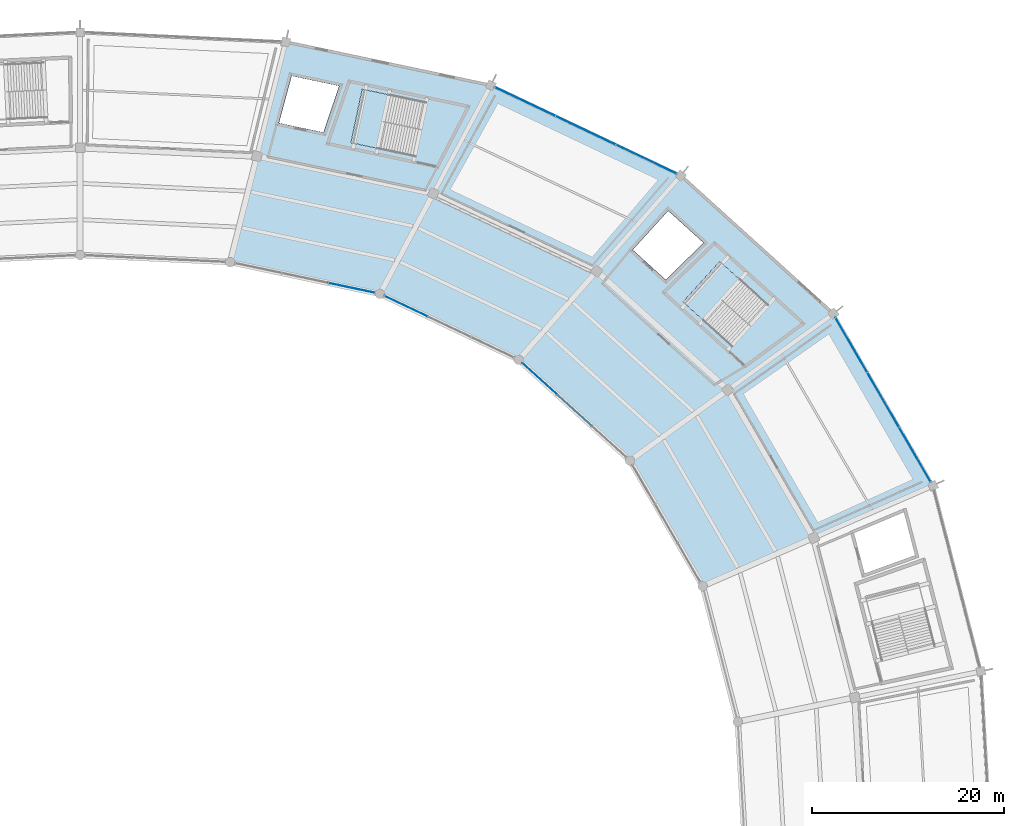
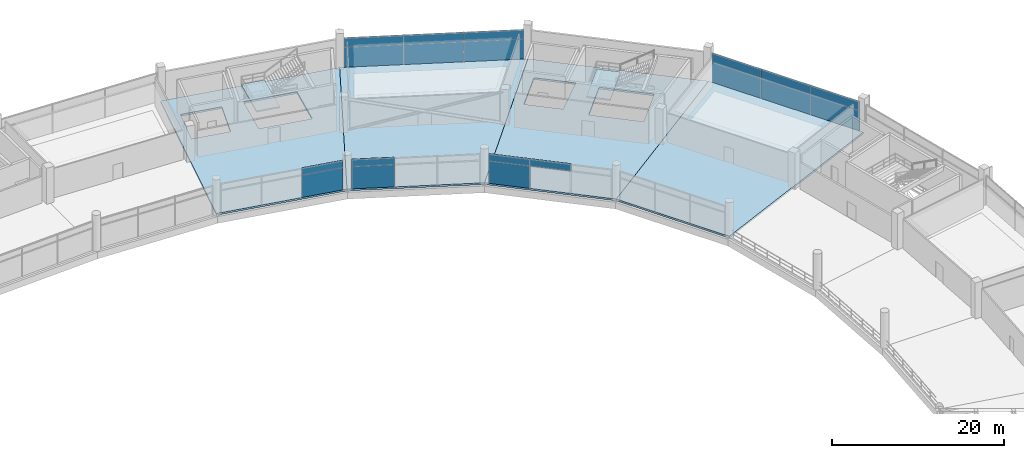
# One storey, part 143 of 184: 19 plates, 6 slabs, 7 elements without a shape of their own.
"""IFC4 building model written with IfcOpenShell, lengths in metres."""

from ifc_helpers import new_model, si_unit, direction, frame, origin, origin_2d, place, context, subcontext, project, spatial, polyline, rectangle, outline, extrude, material, layer, layer_set, type_object, element, aggregate, save


model = new_model("IFC4")

# Units and contexts
model_context = context("Model", 3, precision=1e-05, world=origin(), true_north=direction((0.0, 1.0)))
body_context = subcontext(model_context, "Body", "Model", "MODEL_VIEW")
ifc_project = project(units=[si_unit("LENGTHUNIT", "METRE"), si_unit("AREAUNIT", "SQUARE_METRE"), si_unit("VOLUMEUNIT", "CUBIC_METRE"), si_unit("PLANEANGLEUNIT", "RADIAN"), si_unit("MASSUNIT", "GRAM", prefix="KILO")], contexts=[model_context])

# Site, building, storey
site_placement = place(None, origin())
site = spatial("IfcSite", under=ifc_project, at=site_placement, CompositionType="ELEMENT")
building_placement = place(site_placement, origin())
building = spatial("IfcBuilding", under=site, at=building_placement, Name="Kazemori Nagisa Stadium", CompositionType="ELEMENT")
storey_placement = place(building_placement, frame((0.0, 0.0, 10.5400390625)))
storey = spatial("IfcBuildingStorey", under=building, at=storey_placement, Name="L02", CompositionType="ELEMENT", Elevation=10.5400390625)

# Curtain wall, plates
ifc_material_1 = material(Name="Anodised aluminium 6063-T5", Category="aluminium")
ifc_layer_1 = layer(ifc_material_1, 0.2099609375, Name="Anodised aluminium 6063-T5", Category="aluminium")
ifc_layer_set_1 = layer_set([ifc_layer_1], Name="Anodised aluminium 6063-T5")
curtain_wall_type_1 = type_object("IfcCurtainWallType", Name="CW_L02B_73", PredefinedType="USERDEFINED", material=ifc_layer_set_1)
curtain_wall_1_placement = place(storey_placement, origin())
curtain_wall_1 = element("IfcCurtainWall", 1, at=curtain_wall_1_placement, inside=storey, type_object=curtain_wall_type_1, Name="Unitised curtain wall CW-L02B-73 L02", ObjectType="UNITISED CURTAIN WALL", PredefinedType="USERDEFINED")
ifc_material_2 = material(Name="Anodised aluminium spandrel sheet", Category="aluminium")
ifc_layer_2 = layer(ifc_material_2, 0.044921875, Name="Anodised aluminium spandrel sheet", Category="aluminium")
ifc_layer_set_2 = layer_set([ifc_layer_2], Name="Anodised aluminium spandrel sheet")
plate_type_1 = type_object("IfcPlateType", Name="CWPanel_SPN_L02B_73", PredefinedType="CURTAIN_PANEL", material=ifc_layer_set_2)
plate_1_placement = place(storey_placement, frame((174.4990234375, 148.6201171875, 3.1845703125), z_axis=(0.0, 0.0, 1.0), x_axis=(-0.741350875443, 0.671117634607, 0.0)))
plate_1 = element("IfcPlate", 2, at=plate_1_placement, type_object=plate_type_1, Name="Curtain wall spandrel panel CW-L02B-73-S2", PredefinedType="CURTAIN_PANEL", context=body_context, shape_type="SweptSolid", body=[
    extrude(rectangle(XDim=4.83740234375, YDim=0.044921875, at=origin_2d()), origin(), (0.0, 0.0, 1.0), 1.005615234375),
])
plate_2_placement = place(storey_placement, frame((170.89501953125, 151.8828125, 3.1845703125), z_axis=(0.0, 0.0, 1.0), x_axis=(-0.741350875443, 0.671117634607, 0.0)))
plate_2 = element("IfcPlate", 3, at=plate_2_placement, type_object=plate_type_1, Name="Curtain wall spandrel panel CW-L02B-73-S3", PredefinedType="CURTAIN_PANEL", context=body_context, shape_type="SweptSolid", body=[
    extrude(rectangle(XDim=4.83740234375, YDim=0.044921875, at=origin_2d()), origin(), (0.0, 0.0, 1.0), 1.005615234375),
])

# Curtain wall, plate
ifc_layer_3 = layer(ifc_material_1, 0.2099609375, Name="Anodised aluminium 6063-T5", Category="aluminium")
ifc_layer_set_3 = layer_set([ifc_layer_3], Name="Anodised aluminium 6063-T5")
curtain_wall_type_2 = type_object("IfcCurtainWallType", Name="CW_L02B_75", PredefinedType="USERDEFINED", material=ifc_layer_set_3)
curtain_wall_2_placement = place(storey_placement, origin())
curtain_wall_2 = element("IfcCurtainWall", 4, at=curtain_wall_2_placement, inside=storey, type_object=curtain_wall_type_2, Name="Unitised curtain wall CW-L02B-75 L02", ObjectType="UNITISED CURTAIN WALL", PredefinedType="USERDEFINED")
ifc_layer_4 = layer(ifc_material_2, 0.044921875, Name="Anodised aluminium spandrel sheet", Category="aluminium")
ifc_layer_set_4 = layer_set([ifc_layer_4], Name="Anodised aluminium spandrel sheet")
plate_type_2 = type_object("IfcPlateType", Name="CWPanel_SPN_L02B_75", PredefinedType="CURTAIN_PANEL", material=ifc_layer_set_4)
plate_3_placement = place(storey_placement, frame((156.977783203125, 159.44140625, 3.1845703125), z_axis=(0.0, 0.0, 1.0), x_axis=(-0.903215892654, 0.429186499388, 0.0)))
plate_3 = element("IfcPlate", 5, at=plate_3_placement, type_object=plate_type_2, Name="Curtain wall spandrel panel CW-L02B-75-S3", PredefinedType="CURTAIN_PANEL", context=body_context, shape_type="SweptSolid", body=[
    extrude(rectangle(XDim=4.95166015625, YDim=0.044921875, at=origin_2d()), origin(), (0.0, 0.0, 1.0), 1.005615234375),
])

curtain_wall_3_placement = place(storey_placement, origin())
curtain_wall_3 = element("IfcCurtainWall", 6, at=curtain_wall_3_placement, inside=storey, type_object=curtain_wall_type_2, Name="Unitised curtain wall CW-L02B-75 L02", ObjectType="UNITISED CURTAIN WALL", PredefinedType="USERDEFINED")
plate_4_placement = place(storey_placement, frame((151.297607421875, 161.363037109375, 3.1845703125), z_axis=(0.0, 0.0, 1.0), x_axis=(-0.978344955407, 0.206981033502, 0.0)))
plate_4 = element("IfcPlate", 7, at=plate_4_placement, type_object=plate_type_2, Name="Curtain wall spandrel panel CW-L02B-75-S1", PredefinedType="CURTAIN_PANEL", context=body_context, shape_type="SweptSolid", body=[
    extrude(rectangle(XDim=4.936279296875, YDim=0.044921875, at=origin_2d()), origin(), (0.0, 0.0, 1.0), 1.005615234375),
])

# Curtain wall, plates
ifc_layer_5 = layer(ifc_material_1, 0.2099609375, Name="Anodised aluminium 6063-T5", Category="aluminium")
ifc_layer_set_5 = layer_set([ifc_layer_5], Name="Anodised aluminium 6063-T5")
curtain_wall_type_3 = type_object("IfcCurtainWallType", Name="CW_L02R3_105", PredefinedType="USERDEFINED", material=ifc_layer_set_5)
curtain_wall_4_placement = place(storey_placement, origin())
curtain_wall_4 = element("IfcCurtainWall", 8, at=curtain_wall_4_placement, inside=storey, type_object=curtain_wall_type_3, Name="Unitised curtain wall CW-L02R3-105 L02", ObjectType="UNITISED CURTAIN WALL", PredefinedType="USERDEFINED")
ifc_layer_6 = layer(ifc_material_2, 0.048095703125, Name="Anodised aluminium spandrel sheet", Category="aluminium")
ifc_layer_set_6 = layer_set([ifc_layer_6], Name="Anodised aluminium spandrel sheet")
plate_type_3 = type_object("IfcPlateType", Name="CWPanel_SPN_L02R3_105", PredefinedType="CURTAIN_PANEL", material=ifc_layer_set_6)
plate_5_placement = place(storey_placement, frame((182.01318359375, 174.762451171875, 2.84912109375), z_axis=(0.0, 0.0, 1.0), x_axis=(-0.903215892654, 0.429186499388, 0.0)))
plate_5 = element("IfcPlate", 9, at=plate_5_placement, type_object=plate_type_3, Name="Curtain wall spandrel panel CW-L02R3-105-S1", PredefinedType="CURTAIN_PANEL", context=body_context, shape_type="SweptSolid", body=[
    extrude(rectangle(XDim=6.964111328125, YDim=0.048095703125, at=origin_2d()), origin(), (0.0, 0.0, 1.0), 1.3408203125),
])
plate_6_placement = place(storey_placement, frame((175.701416015625, 177.76171875, 2.84912109375), z_axis=(0.0, 0.0, 1.0), x_axis=(-0.903215892654, 0.429186499388, 0.0)))
plate_6 = element("IfcPlate", 10, at=plate_6_placement, type_object=plate_type_3, Name="Curtain wall spandrel panel CW-L02R3-105-S2", PredefinedType="CURTAIN_PANEL", context=body_context, shape_type="SweptSolid", body=[
    extrude(rectangle(XDim=6.964111328125, YDim=0.048095703125, at=origin_2d()), origin(), (0.0, 0.0, 1.0), 1.3408203125),
])
plate_7_placement = place(storey_placement, frame((169.3896484375, 180.7607421875, 2.84912109375), z_axis=(0.0, 0.0, 1.0), x_axis=(-0.903215892654, 0.429186499388, 0.0)))
plate_7 = element("IfcPlate", 11, at=plate_7_placement, type_object=plate_type_3, Name="Curtain wall spandrel panel CW-L02R3-105-S3", PredefinedType="CURTAIN_PANEL", context=body_context, shape_type="SweptSolid", body=[
    extrude(rectangle(XDim=6.964111328125, YDim=0.048095703125, at=origin_2d()), origin(), (0.0, 0.0, 1.0), 1.3408203125),
])

ifc_layer_7 = layer(ifc_material_1, 0.2099609375, Name="Anodised aluminium 6063-T5", Category="aluminium")
ifc_layer_set_7 = layer_set([ifc_layer_7], Name="Anodised aluminium 6063-T5")
curtain_wall_type_4 = type_object("IfcCurtainWallType", Name="CW_L02R3_99", PredefinedType="USERDEFINED", material=ifc_layer_set_7)
curtain_wall_5_placement = place(storey_placement, origin())
curtain_wall_5 = element("IfcCurtainWall", 12, at=curtain_wall_5_placement, inside=storey, type_object=curtain_wall_type_4, Name="Unitised curtain wall CW-L02R3-99 L02", ObjectType="UNITISED CURTAIN WALL", PredefinedType="USERDEFINED")
ifc_layer_8 = layer(ifc_material_2, 0.048095703125, Name="Anodised aluminium spandrel sheet", Category="aluminium")
ifc_layer_set_8 = layer_set([ifc_layer_8], Name="Anodised aluminium spandrel sheet")
plate_type_4 = type_object("IfcPlateType", Name="CWPanel_SPN_L02R3_99", PredefinedType="CURTAIN_PANEL", material=ifc_layer_set_8)
plate_8_placement = place(storey_placement, frame((209.994384765625, 144.009765625, 2.84912109375), z_axis=(0.0, 0.0, 1.0), x_axis=(-0.501611590054, 0.865092950337, 0.0)))
plate_8 = element("IfcPlate", 13, at=plate_8_placement, type_object=plate_type_4, Name="Curtain wall spandrel panel CW-L02R3-99-S1", PredefinedType="CURTAIN_PANEL", context=body_context, shape_type="SweptSolid", body=[
    extrude(rectangle(XDim=6.563232421875, YDim=0.048095703125, at=origin_2d()), origin(), (0.0, 0.0, 1.0), 1.3408203125),
])
plate_9_placement = place(storey_placement, frame((206.690185546875, 149.70849609375, 2.84912109375), z_axis=(0.0, 0.0, 1.0), x_axis=(-0.501611590054, 0.865092950337, 0.0)))
plate_9 = element("IfcPlate", 14, at=plate_9_placement, type_object=plate_type_4, Name="Curtain wall spandrel panel CW-L02R3-99-S2", PredefinedType="CURTAIN_PANEL", context=body_context, shape_type="SweptSolid", body=[
    extrude(rectangle(XDim=6.563232421875, YDim=0.048095703125, at=origin_2d()), origin(), (0.0, 0.0, 1.0), 1.3408203125),
])
plate_10_placement = place(storey_placement, frame((203.3857421875, 155.4072265625, 2.84912109375), z_axis=(0.0, 0.0, 1.0), x_axis=(-0.501611590054, 0.865092950337, 0.0)))
plate_10 = element("IfcPlate", 15, at=plate_10_placement, type_object=plate_type_4, Name="Curtain wall spandrel panel CW-L02R3-99-S3", PredefinedType="CURTAIN_PANEL", context=body_context, shape_type="SweptSolid", body=[
    extrude(rectangle(XDim=6.563232421875, YDim=0.048095703125, at=origin_2d()), origin(), (0.0, 0.0, 1.0), 1.3408203125),
])

# Plate
ifc_material_3 = material(Name="Low-e laminated double glazing", Category="glass")
ifc_layer_9 = layer(ifc_material_3, 0.031982421875, Name="Low-e laminated double glazing", Category="glass")
ifc_layer_set_9 = layer_set([ifc_layer_9], Name="Low-e laminated double glazing")
plate_type_5 = type_object("IfcPlateType", Name="CWPanel_VIS_L02B_73", PredefinedType="CURTAIN_PANEL", material=ifc_layer_set_9)
plate_11_placement = place(storey_placement, frame((170.89501953125, 151.8828125, 0.0), z_axis=(0.0, 0.0, 1.0), x_axis=(-0.741350875443, 0.671117634607, 0.0)))
plate_11 = element("IfcPlate", 16, at=plate_11_placement, type_object=plate_type_5, Name="Curtain wall vision panel CW-L02B-73-V3", PredefinedType="CURTAIN_PANEL", context=body_context, shape_type="SweptSolid", body=[
    extrude(rectangle(XDim=4.83740234375, YDim=0.031982421875, at=origin_2d()), origin(), (0.0, 0.0, 1.0), 3.184326171875),
])

aggregate(curtain_wall_1, [plate_1, plate_11, plate_2])

ifc_layer_10 = layer(ifc_material_3, 0.031982421875, Name="Low-e laminated double glazing", Category="glass")
ifc_layer_set_10 = layer_set([ifc_layer_10], Name="Low-e laminated double glazing")
plate_type_6 = type_object("IfcPlateType", Name="CWPanel_VIS_L02B_75", PredefinedType="CURTAIN_PANEL", material=ifc_layer_set_10)
plate_12_placement = place(storey_placement, frame((156.977783203125, 159.44140625, 0.0), z_axis=(0.0, 0.0, 1.0), x_axis=(-0.903215892654, 0.429186499388, 0.0)))
plate_12 = element("IfcPlate", 17, at=plate_12_placement, type_object=plate_type_6, Name="Curtain wall vision panel CW-L02B-75-V3", PredefinedType="CURTAIN_PANEL", context=body_context, shape_type="SweptSolid", body=[
    extrude(rectangle(XDim=4.95166015625, YDim=0.031982421875, at=origin_2d()), origin(), (0.0, 0.0, 1.0), 3.184326171875),
])

aggregate(curtain_wall_2, [plate_12, plate_3])

plate_13_placement = place(storey_placement, frame((151.297607421875, 161.363037109375, 0.0), z_axis=(0.0, 0.0, 1.0), x_axis=(-0.978344955407, 0.206981033502, 0.0)))
plate_13 = element("IfcPlate", 18, at=plate_13_placement, type_object=plate_type_6, Name="Curtain wall vision panel CW-L02B-75-V1", PredefinedType="CURTAIN_PANEL", context=body_context, shape_type="SweptSolid", body=[
    extrude(rectangle(XDim=4.936279296875, YDim=0.031982421875, at=origin_2d()), origin(), (0.0, 0.0, 1.0), 3.184326171875),
])

aggregate(curtain_wall_3, [plate_13, plate_4])

ifc_layer_11 = layer(ifc_material_3, 0.030029296875, Name="Low-e laminated double glazing", Category="glass")
ifc_layer_set_11 = layer_set([ifc_layer_11], Name="Low-e laminated double glazing")
plate_type_7 = type_object("IfcPlateType", Name="CWPanel_VIS_L02R3_105", PredefinedType="CURTAIN_PANEL", material=ifc_layer_set_11)
plate_14_placement = place(storey_placement, frame((182.01318359375, 174.762451171875, 0.0), z_axis=(0.0, 0.0, 1.0), x_axis=(-0.903215892654, 0.429186499388, 0.0)))
plate_14 = element("IfcPlate", 19, at=plate_14_placement, type_object=plate_type_7, Name="Curtain wall vision panel CW-L02R3-105-V1", PredefinedType="CURTAIN_PANEL", context=body_context, shape_type="SweptSolid", body=[
    extrude(rectangle(XDim=6.964111328125, YDim=0.030029296875, at=origin_2d()), origin(), (0.0, 0.0, 1.0), 2.84912109375),
])

plate_15_placement = place(storey_placement, frame((175.701416015625, 177.76171875, 0.0), z_axis=(0.0, 0.0, 1.0), x_axis=(-0.903215892654, 0.429186499388, 0.0)))
plate_15 = element("IfcPlate", 20, at=plate_15_placement, type_object=plate_type_7, Name="Curtain wall vision panel CW-L02R3-105-V2", PredefinedType="CURTAIN_PANEL", context=body_context, shape_type="SweptSolid", body=[
    extrude(rectangle(XDim=6.964111328125, YDim=0.030029296875, at=origin_2d()), origin(), (0.0, 0.0, 1.0), 2.84912109375),
])

plate_16_placement = place(storey_placement, frame((169.3896484375, 180.7607421875, 0.0), z_axis=(0.0, 0.0, 1.0), x_axis=(-0.903215892654, 0.429186499388, 0.0)))
plate_16 = element("IfcPlate", 21, at=plate_16_placement, type_object=plate_type_7, Name="Curtain wall vision panel CW-L02R3-105-V3", PredefinedType="CURTAIN_PANEL", context=body_context, shape_type="SweptSolid", body=[
    extrude(rectangle(XDim=6.964111328125, YDim=0.030029296875, at=origin_2d()), origin(), (0.0, 0.0, 1.0), 2.84912109375),
])

aggregate(curtain_wall_4, [plate_14, plate_5, plate_15, plate_6, plate_16, plate_7])

ifc_layer_12 = layer(ifc_material_3, 0.030029296875, Name="Low-e laminated double glazing", Category="glass")
ifc_layer_set_12 = layer_set([ifc_layer_12], Name="Low-e laminated double glazing")
plate_type_8 = type_object("IfcPlateType", Name="CWPanel_VIS_L02R3_99", PredefinedType="CURTAIN_PANEL", material=ifc_layer_set_12)
plate_17_placement = place(storey_placement, frame((209.994384765625, 144.009765625, 0.0), z_axis=(0.0, 0.0, 1.0), x_axis=(-0.501611590054, 0.865092950337, 0.0)))
plate_17 = element("IfcPlate", 22, at=plate_17_placement, type_object=plate_type_8, Name="Curtain wall vision panel CW-L02R3-99-V1", PredefinedType="CURTAIN_PANEL", context=body_context, shape_type="SweptSolid", body=[
    extrude(rectangle(XDim=6.563232421875, YDim=0.030029296875, at=origin_2d()), origin(), (0.0, 0.0, 1.0), 2.84912109375),
])

plate_18_placement = place(storey_placement, frame((206.690185546875, 149.70849609375, 0.0), z_axis=(0.0, 0.0, 1.0), x_axis=(-0.501611590054, 0.865092950337, 0.0)))
plate_18 = element("IfcPlate", 23, at=plate_18_placement, type_object=plate_type_8, Name="Curtain wall vision panel CW-L02R3-99-V2", PredefinedType="CURTAIN_PANEL", context=body_context, shape_type="SweptSolid", body=[
    extrude(rectangle(XDim=6.563232421875, YDim=0.030029296875, at=origin_2d()), origin(), (0.0, 0.0, 1.0), 2.84912109375),
])

plate_19_placement = place(storey_placement, frame((203.3857421875, 155.4072265625, 0.0), z_axis=(0.0, 0.0, 1.0), x_axis=(-0.501611590054, 0.865092950337, 0.0)))
plate_19 = element("IfcPlate", 24, at=plate_19_placement, type_object=plate_type_8, Name="Curtain wall vision panel CW-L02R3-99-V3", PredefinedType="CURTAIN_PANEL", context=body_context, shape_type="SweptSolid", body=[
    extrude(rectangle(XDim=6.563232421875, YDim=0.030029296875, at=origin_2d()), origin(), (0.0, 0.0, 1.0), 2.84912109375),
])

aggregate(curtain_wall_5, [plate_17, plate_8, plate_18, plate_9, plate_19, plate_10])

# Slabs
ifc_material_4 = material(Name="Concrete C36/45 (Fc36)", Category="concrete")
ifc_layer_13 = layer(ifc_material_4, 0.260009765625, Name="Concrete C36/45 (Fc36)", Category="concrete")
ifc_layer_set_13 = layer_set([ifc_layer_13], Name="Concrete C36/45 (Fc36)")
slab_type_1 = type_object("IfcSlabType", Name="Slab_SL-CONC-260", PredefinedType="FLOOR", material=ifc_layer_set_13)
slab_1_placement = place(storey_placement, frame((0.0, 0.0, -0.260009765625)))
element("IfcSlab", 25, at=slab_1_placement, inside=storey, type_object=slab_type_1, Name="Concourse floor slab L02 bay 03", PredefinedType="FLOOR", context=body_context, shape_type="SweptSolid", body=[
    extrude(outline(polyline([(187.885986328125, 130.287109375), (180.301513671875, 143.367431640625), (201.495361328125, 158.667724609375), (211.885009765625, 140.74951171875), (187.885986328125, 130.287109375)])), origin(), (0.0, 0.0, 1.0), 0.260009765625),
])
slab_2_placement = place(storey_placement, frame((0.0, 0.0, -0.260009765625)))
element("IfcSlab", 26, at=slab_2_placement, inside=storey, type_object=slab_type_1, Name="Concourse floor slab L02 bay 04", PredefinedType="FLOOR", context=body_context, shape_type="SweptSolid", body=[
    extrude(outline(polyline([(180.301513671875, 143.367431640625), (168.696533203125, 153.873046875), (185.597900390625, 173.05908203125), (201.495361328125, 158.667724609375), (180.301513671875, 143.367431640625)]), holes=[polyline([(190.87646484375, 155.334228515625), (186.0390625, 159.71337890625), (189.864501953125, 163.93896484375), (194.70166015625, 159.56005859375), (190.87646484375, 155.334228515625)]), polyline([(184.043701171875, 162.204345703125), (180.594482421875, 165.32666015625), (184.289794921875, 169.3896484375), (187.960205078125, 166.06689453125), (184.043701171875, 162.204345703125)])]), origin(), (0.0, 0.0, 1.0), 0.260009765625),
])
slab_3_placement = place(storey_placement, frame((0.0, 0.0, -0.260009765625)))
element("IfcSlab", 27, at=slab_3_placement, inside=storey, type_object=slab_type_1, Name="Concourse floor slab L02 bay 05", PredefinedType="FLOOR", context=body_context, shape_type="SweptSolid", body=[
    extrude(outline(polyline([(168.696533203125, 153.873046875), (154.24755859375, 160.739013671875), (165.8046875, 182.46435546875), (185.597900390625, 173.05908203125), (168.696533203125, 153.873046875)])), origin(), (0.0, 0.0, 1.0), 0.260009765625),
])
slab_4_placement = place(storey_placement, frame((0.0, 0.0, -0.260009765625)))
element("IfcSlab", 28, at=slab_4_placement, inside=storey, type_object=slab_type_1, Name="Concourse floor slab L02 bay 06", PredefinedType="FLOOR", context=body_context, shape_type="SweptSolid", body=[
    extrude(outline(polyline([(154.24755859375, 160.739013671875), (138.64208984375, 164.040283203125), (144.427734375, 186.98681640625), (165.8046875, 182.46435546875), (154.24755859375, 160.739013671875)]), holes=[polyline([(157.87890625, 175.08642578125), (151.4951171875, 176.43701171875), (152.6748046875, 182.013671875), (159.05859375, 180.6630859375), (157.87890625, 175.08642578125)]), polyline([(148.361328125, 177.560791015625), (143.723388671875, 178.5419921875), (145.052978515625, 183.452880859375), (149.988525390625, 182.40869140625), (148.361328125, 177.560791015625)])]), origin(), (0.0, 0.0, 1.0), 0.260009765625),
])

# Stair, slab
stair_type = type_object("IfcStairType", Name="Stair_CORE_30", PredefinedType="TWO_STRAIGHT_RUN_STAIR", material=ifc_material_4)
stair_1_placement = place(storey_placement, origin())
stair_1 = element("IfcStair", 29, at=stair_1_placement, inside=storey, type_object=stair_type, Name="Exit stair ST01 L02", PredefinedType="TWO_STRAIGHT_RUN_STAIR")
ifc_layer_14 = layer(ifc_material_4, 0.199951171875, Name="Concrete C36/45 (Fc36)", Category="concrete")
ifc_layer_set_14 = layer_set([ifc_layer_14], Name="Concrete C36/45 (Fc36)")
slab_type_2 = type_object("IfcSlabType", Name="Slab_SL-LND-200", PredefinedType="LANDING", material=ifc_layer_set_14)
slab_5_placement = place(storey_placement, frame((0.0, 0.0, 2.349853515625)))
slab_5 = element("IfcSlab", 30, at=slab_5_placement, type_object=slab_type_2, Name="Exit stair ST01 L02 mid-landing", PredefinedType="LANDING", context=body_context, shape_type="SweptSolid", body=[
    extrude(outline(polyline([(187.940673828125, 157.991943359375), (185.827880859375, 159.904541015625), (189.653076171875, 164.13037109375), (191.76611328125, 162.217529296875), (187.940673828125, 157.991943359375)])), origin(), (0.0, 0.0, 1.0), 0.2001953125),
])
aggregate(stair_1, [slab_5])

stair_2_placement = place(storey_placement, origin())
stair_2 = element("IfcStair", 31, at=stair_2_placement, inside=storey, type_object=stair_type, Name="Exit stair ST11 L02", PredefinedType="TWO_STRAIGHT_RUN_STAIR")
slab_6_placement = place(storey_placement, frame((0.0, 0.0, 2.349853515625)))
slab_6 = element("IfcSlab", 32, at=slab_6_placement, type_object=slab_type_2, Name="Exit stair ST11 L02 mid-landing", PredefinedType="LANDING", context=body_context, shape_type="SweptSolid", body=[
    extrude(outline(polyline([(154.004638671875, 175.90625), (151.21630859375, 176.49609375), (152.39599609375, 182.072509765625), (155.184326171875, 181.482666015625), (154.004638671875, 175.90625)])), origin(), (0.0, 0.0, 1.0), 0.2001953125),
])
aggregate(stair_2, [slab_6])

save(model, "model.ifc")
